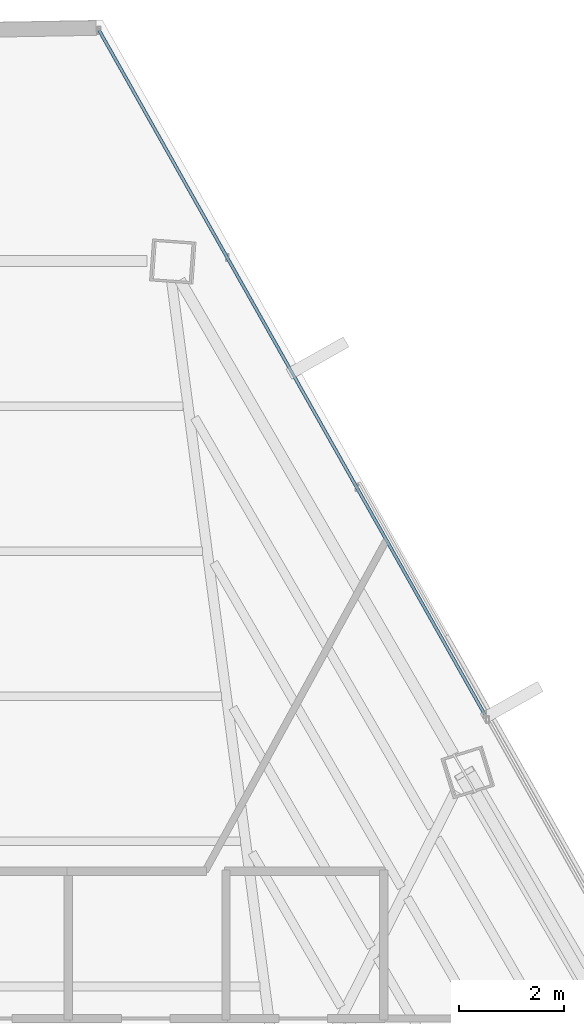
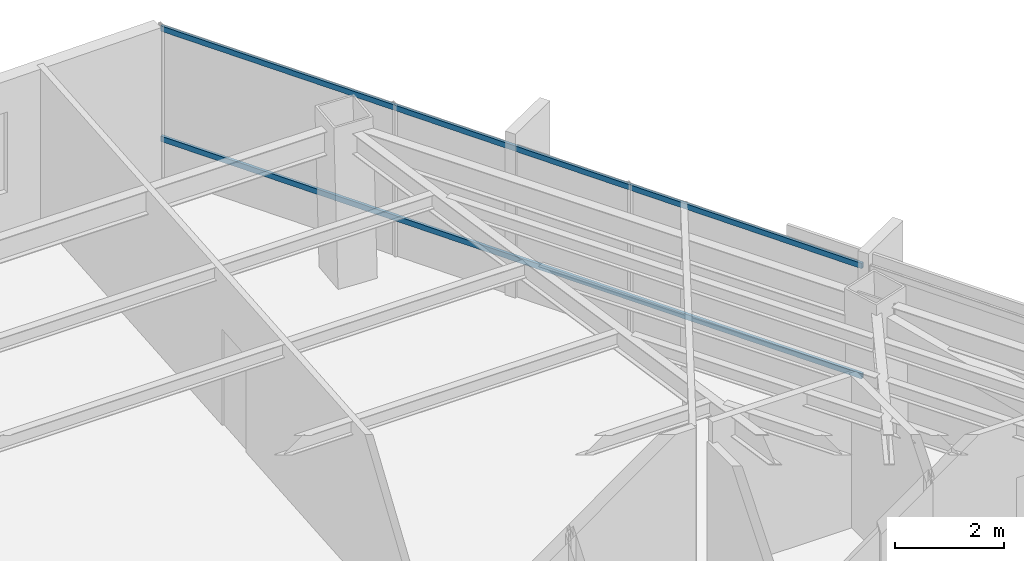
# One storey, part 31 of 42: 2 members, 1 element without a shape of its own.
"""IFC4 building model written with IfcOpenShell, lengths in metres."""

from ifc_helpers import new_model, si_unit, direction, frame, origin, origin_2d, place, context, subcontext, project, spatial, hollow_rectangle, extrude, source, transform, mapped, material, material_profile, profile_set, type_object, type_shapes, element, aggregate, save


model = new_model("IFC4")

# Units and contexts
model_context = context("Model", 3, precision=1e-05, world=origin(), true_north=direction((0.0, 1.0)))
body_context = subcontext(model_context, "Body", "Model", "MODEL_VIEW")
ifc_project = project(units=[si_unit("LENGTHUNIT", "METRE"), si_unit("AREAUNIT", "SQUARE_METRE"), si_unit("VOLUMEUNIT", "CUBIC_METRE"), si_unit("PLANEANGLEUNIT", "RADIAN"), si_unit("MASSUNIT", "GRAM", prefix="KILO")], contexts=[model_context])

# Site, building, storey
site_placement = place(None, origin())
site = spatial("IfcSite", under=ifc_project, at=site_placement, CompositionType="ELEMENT")
building_placement = place(site_placement, origin())
building = spatial("IfcBuilding", under=site, at=building_placement, Name="Caelisora Broadcast Tower", CompositionType="ELEMENT")
storey_placement = place(building_placement, frame((0.0, 0.0, 191.35009765625)))
storey = spatial("IfcBuildingStorey", under=building, at=storey_placement, Name="L50", CompositionType="ELEMENT", Elevation=191.35009765625)

# Curtain wall, members
ifc_material_1 = material(Name="Unitised Aluminium and Low-E Glass Curtain Wall", Category="glass")
curtain_wall_type = type_object("IfcCurtainWallType", Name="CW-Z4", PredefinedType="NOTDEFINED", material=ifc_material_1)
curtain_wall_placement = place(storey_placement, origin())
curtain_wall = element("IfcCurtainWall", 1, at=curtain_wall_placement, inside=storey, type_object=curtain_wall_type, Name="L50 curtain wall CW-Z4", PredefinedType="NOTDEFINED")
ifc_material_2 = material(Name="Aluminium 6063-T6 Anodised Terracotta Bronze", Category="aluminium")
ifc_material_profile = material_profile(ifc_material_2, hollow_rectangle(XDim=0.06005859375, YDim=0.1201171875, WallThickness=0.0029296875, at=origin_2d()), Name="Aluminium 6063-T6 Anodised Terracotta Bronze")
ifc_profile_set = profile_set([ifc_material_profile], Name="Aluminium 6063-T6 Anodised Terracotta Bronze")
member_type = type_object("IfcMemberType", Name="CWT-03", PredefinedType="USERDEFINED", material=ifc_profile_set)
shared_shape = source(origin(), body_context, "Body", "SweptSolid", [
    extrude(hollow_rectangle(XDim=0.06005859375, YDim=0.1201171875, WallThickness=0.0029296875, at=origin_2d()), origin(), (0.0, 0.0, 1.0), 14.950439453125),
])
type_shapes(member_type, [shared_shape])
member_1_placement = place(storey_placement, frame((41.982666015625, 50.96240234375, 0.849853515625), z_axis=(0.491041003439, -0.871136460574, 0.0), x_axis=(0.871136460574, 0.491041003439, 0.0)))
member_1 = element("IfcMember", 2, at=member_1_placement, type_object=member_type, Name="L50-CW-B01 transom #1", ObjectType="TRANSOM", PredefinedType="USERDEFINED", context=body_context, shape_type="MappedRepresentation", body=[
    mapped(shared_shape, transform((0.0, 0.0, 0.0), scale=1.0)),
])
member_2_placement = place(storey_placement, frame((41.982666015625, 50.96240234375, 3.31982421875), z_axis=(0.491041003439, -0.871136460574, 0.0), x_axis=(0.871136460574, 0.491041003439, 0.0)))
member_2 = element("IfcMember", 3, at=member_2_placement, type_object=member_type, Name="L50-CW-B01 transom #2", ObjectType="TRANSOM", PredefinedType="USERDEFINED", context=body_context, shape_type="MappedRepresentation", body=[
    mapped(shared_shape, transform((0.0, 0.0, 0.0), scale=1.0)),
])
aggregate(curtain_wall, [member_1, member_2])

save(model, "model.ifc")
